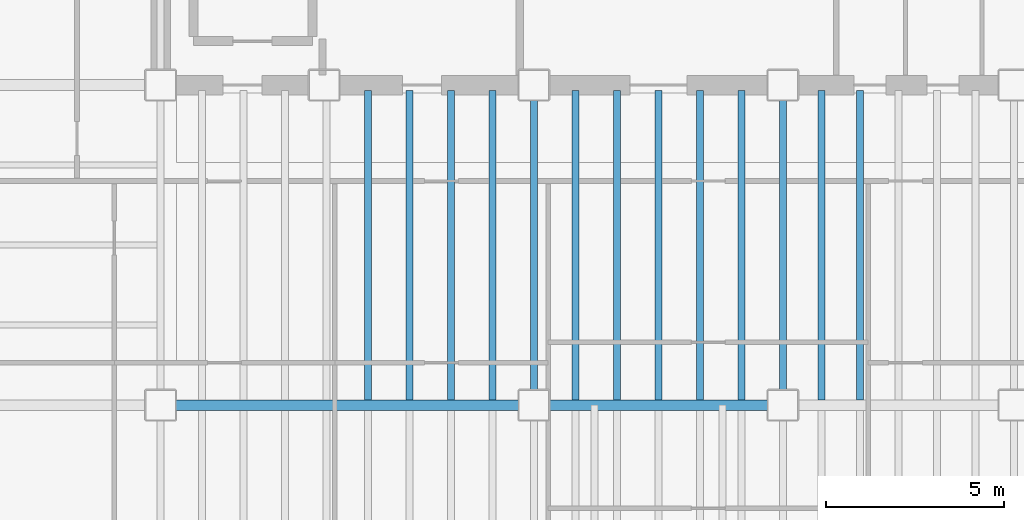
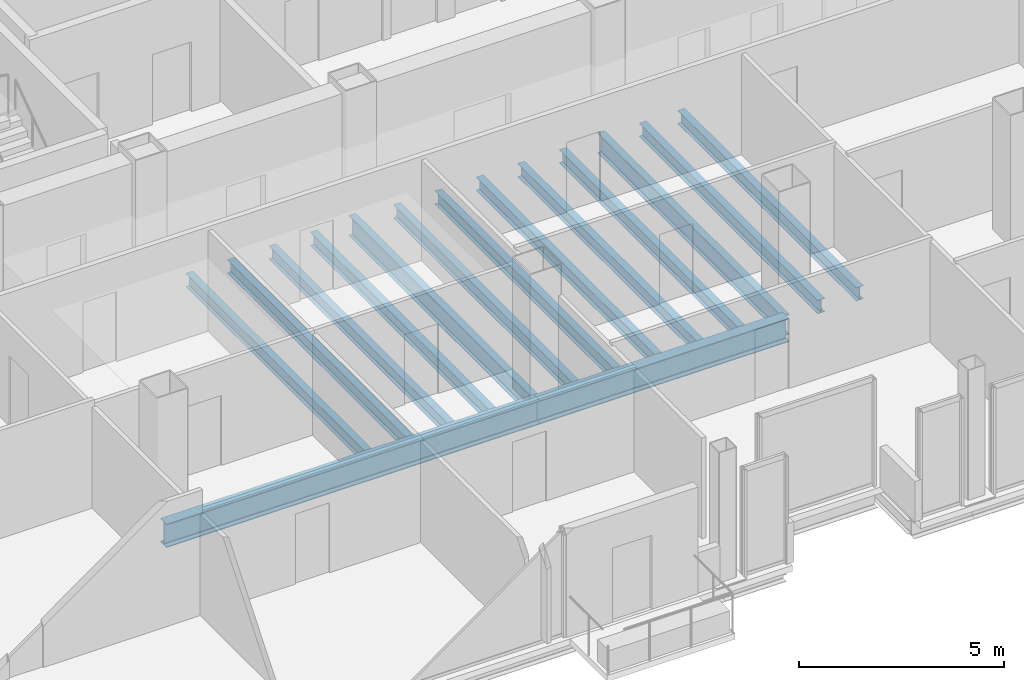
# One storey, part 7 of 22: 15 beams.
"""IFC4 building model written with IfcOpenShell, lengths in metres."""

from ifc_helpers import new_model, si_unit, direction, frame, origin, origin_2d, place, context, subcontext, project, spatial, i_section, extrude, material, material_profile, profile_set, type_object, element, save


model = new_model("IFC4")

# Units and contexts
model_context = context("Model", 3, precision=1e-05, world=origin(), true_north=direction((0.0, 1.0)))
body_context = subcontext(model_context, "Body", "Model", "MODEL_VIEW")
ifc_project = project(units=[si_unit("LENGTHUNIT", "METRE"), si_unit("AREAUNIT", "SQUARE_METRE"), si_unit("VOLUMEUNIT", "CUBIC_METRE"), si_unit("PLANEANGLEUNIT", "RADIAN"), si_unit("MASSUNIT", "GRAM", prefix="KILO")], contexts=[model_context])

# Site, building, storey
site_placement = place(None, origin())
site = spatial("IfcSite", under=ifc_project, at=site_placement, CompositionType="ELEMENT")
building_placement = place(site_placement, origin())
building = spatial("IfcBuilding", under=site, at=building_placement, Name="Noeulbin Bourse Tower", CompositionType="ELEMENT")
storey_placement = place(building_placement, frame((0.0, 0.0, 134.39990234375)))
storey = spatial("IfcBuildingStorey", under=building, at=storey_placement, Name="L33", CompositionType="ELEMENT", Elevation=134.39990234375)

# Beams
ifc_material = material(Name="Steel S355", Category="steel")
ifc_material_profile_1 = material_profile(ifc_material, i_section(OverallWidth=0.199951171875, OverallDepth=0.60009765625, WebThickness=0.010986328125, FlangeThickness=0.01708984375, FilletRadius=0.02197265625, at=origin_2d()), Name="H-600x200x11x17", Category="LoadBearing")
ifc_profile_set_1 = profile_set([ifc_material_profile_1], Name="Steel S355")
beam_type_1 = type_object("IfcBeamType", Name="BM-GRD-600", PredefinedType="USERDEFINED", material=ifc_profile_set_1)
for number, where, z_axis, x_axis, name in (
    (1, (24.0, 20.0, -0.47998046875), (0.0, 1.0, 0.0), (-1.0, 0.0, 0.0), "Tower Primary Girder NS L33-2.2"),
    (2, (31.0, 20.0, -0.47998046875), (0.0, 1.0, 0.0), (-1.0, 0.0, 0.0), "Tower Primary Girder NS L33-3.2"),
):
    element("IfcBeam", number, at=place(storey_placement, frame(where, z_axis=z_axis, x_axis=x_axis)), inside=storey, type_object=beam_type_1, Name=name, ObjectType="GIRDER", PredefinedType="USERDEFINED", context=body_context, shape_type="SweptSolid", body=[
        extrude(i_section(OverallWidth=0.199951171875, OverallDepth=0.60009765625, WebThickness=0.010986328125, FlangeThickness=0.01708984375, FilletRadius=0.02197265625, at=origin_2d()), origin(), (0.0, 0.0, 1.0), 9.0),
    ])
ifc_material_profile_2 = material_profile(ifc_material, i_section(OverallWidth=0.300048828125, OverallDepth=0.699951171875, WebThickness=0.012939453125, FlangeThickness=0.02392578125, FilletRadius=0.02392578125, at=origin_2d()), Name="H-700x300x13x24", Category="LoadBearing")
ifc_profile_set_2 = profile_set([ifc_material_profile_2], Name="Steel S355")
beam_type_2 = type_object("IfcBeamType", Name="BM-GRD-700", PredefinedType="USERDEFINED", material=ifc_profile_set_2)
beam_1_placement = place(storey_placement, frame((13.5, 20.0, -0.52978515625), z_axis=(1.0, 0.0, 0.0), x_axis=(0.0, 1.0, 0.0)))
element("IfcBeam", 3, at=beam_1_placement, inside=storey, type_object=beam_type_2, Name="Tower Primary Girder EW L33-1.2", ObjectType="GIRDER", PredefinedType="USERDEFINED", context=body_context, shape_type="SweptSolid", body=[
    extrude(i_section(OverallWidth=0.300048828125, OverallDepth=0.699951171875, WebThickness=0.012939453125, FlangeThickness=0.02392578125, FilletRadius=0.02392578125, at=origin_2d()), origin(), (0.0, 0.0, 1.0), 10.5),
])
beam_2_placement = place(storey_placement, frame((24.0, 20.0, -0.52978515625), z_axis=(1.0, 0.0, 0.0), x_axis=(0.0, 1.0, 0.0)))
element("IfcBeam", 4, at=beam_2_placement, inside=storey, type_object=beam_type_2, Name="Tower Primary Girder EW L33-1.3", ObjectType="GIRDER", PredefinedType="USERDEFINED", context=body_context, shape_type="SweptSolid", body=[
    extrude(i_section(OverallWidth=0.300048828125, OverallDepth=0.699951171875, WebThickness=0.012939453125, FlangeThickness=0.02392578125, FilletRadius=0.02392578125, at=origin_2d()), origin(), (0.0, 0.0, 1.0), 7.0),
])
ifc_material_profile_3 = material_profile(ifc_material, i_section(OverallWidth=0.199951171875, OverallDepth=0.39990234375, WebThickness=0.008056640625, FlangeThickness=0.012939453125, FilletRadius=0.01611328125, at=origin_2d()), Name="H-400x200x8x13", Category="LoadBearing")
ifc_profile_set_3 = profile_set([ifc_material_profile_3], Name="Steel S355")
beam_type_3 = type_object("IfcBeamType", Name="BM-SEC-400", PredefinedType="BEAM", material=ifc_profile_set_3)
for number, where, z_axis, x_axis, name in (
    (5, (19.333251953125, 20.14990234375, -0.3798828125), (0.0, 1.0, 0.0), (-1.0, 0.0, 0.0), "Tower Composite Joist L33-10"),
    (6, (20.5, 20.14990234375, -0.3798828125), (0.0, 1.0, 0.0), (-1.0, 0.0, 0.0), "Tower Composite Joist L33-12"),
    (7, (21.666748046875, 20.14990234375, -0.3798828125), (0.0, 1.0, 0.0), (-1.0, 0.0, 0.0), "Tower Composite Joist L33-14"),
    (8, (22.833251953125, 20.14990234375, -0.3798828125), (0.0, 1.0, 0.0), (-1.0, 0.0, 0.0), "Tower Composite Joist L33-16"),
    (9, (25.166748046875, 20.14990234375, -0.3798828125), (0.0, 1.0, 0.0), (-1.0, 0.0, 0.0), "Tower Composite Joist L33-18"),
    (10, (26.333251953125, 20.14990234375, -0.3798828125), (0.0, 1.0, 0.0), (-1.0, 0.0, 0.0), "Tower Composite Joist L33-20"),
    (11, (27.5, 20.14990234375, -0.3798828125), (0.0, 1.0, 0.0), (-1.0, 0.0, 0.0), "Tower Composite Joist L33-22"),
    (12, (28.666748046875, 20.14990234375, -0.3798828125), (0.0, 1.0, 0.0), (-1.0, 0.0, 0.0), "Tower Composite Joist L33-24"),
    (13, (29.833251953125, 20.14990234375, -0.3798828125), (0.0, 1.0, 0.0), (-1.0, 0.0, 0.0), "Tower Composite Joist L33-26"),
    (14, (32.083251953125, 20.14990234375, -0.3798828125), (0.0, 1.0, 0.0), (-1.0, 0.0, 0.0), "Tower Composite Joist L33-28"),
    (15, (33.166748046875, 20.14990234375, -0.3798828125), (0.0, 1.0, 0.0), (-1.0, 0.0, 0.0), "Tower Composite Joist L33-30"),
):
    element("IfcBeam", number, at=place(storey_placement, frame(where, z_axis=z_axis, x_axis=x_axis)), inside=storey, type_object=beam_type_3, Name=name, PredefinedType="BEAM", context=body_context, shape_type="SweptSolid", body=[
        extrude(i_section(OverallWidth=0.199951171875, OverallDepth=0.39990234375, WebThickness=0.008056640625, FlangeThickness=0.012939453125, FilletRadius=0.01611328125, at=origin_2d()), origin(), (0.0, 0.0, 1.0), 8.7001953125),
    ])

save(model, "model.ifc")
